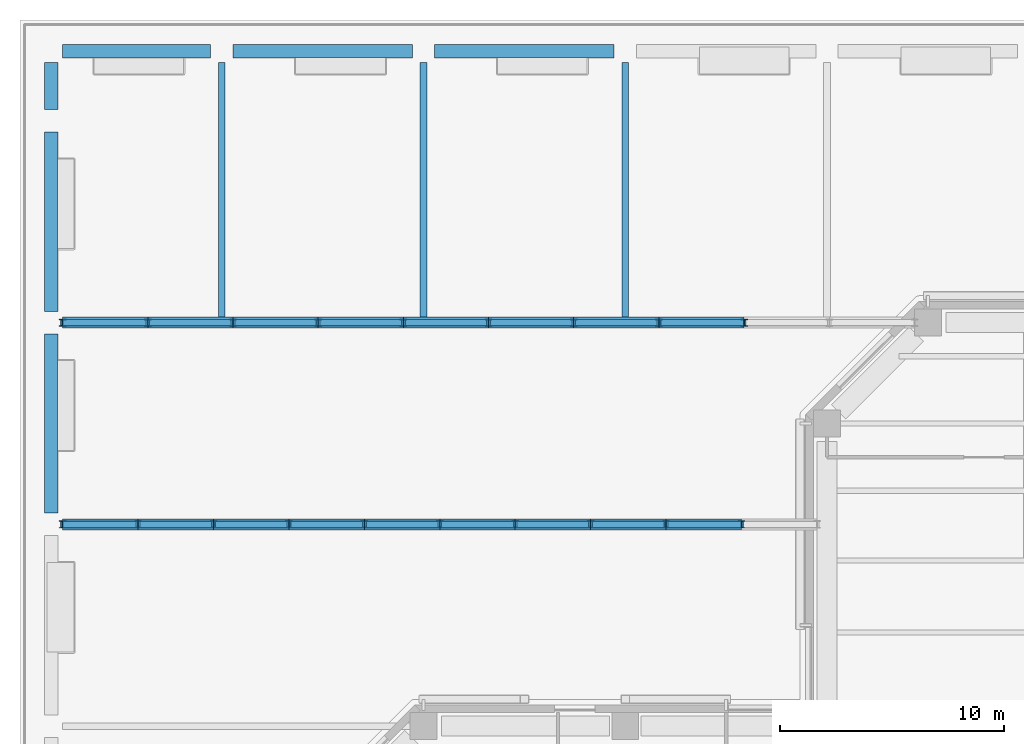
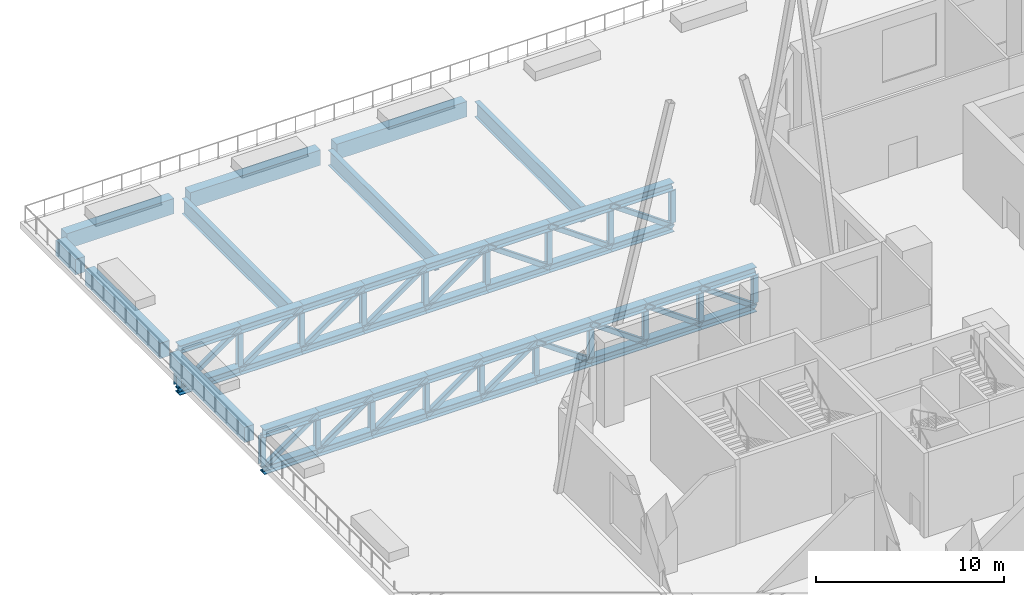
# One storey, part 12 of 33: 53 members, 26 beams.
"""IFC4 building model written with IfcOpenShell, lengths in metres."""

from ifc_helpers import new_model, si_unit, direction, frame, origin, origin_2d, place, context, subcontext, project, spatial, rectangle, hollow_rectangle, i_section, extrude, material, material_profile, profile_set, type_object, element, save


model = new_model("IFC4")

# Units and contexts
model_context = context("Model", 3, precision=1e-05, world=origin(), true_north=direction((0.0, 1.0)))
body_context = subcontext(model_context, "Body", "Model", "MODEL_VIEW")
ifc_project = project(units=[si_unit("LENGTHUNIT", "METRE"), si_unit("AREAUNIT", "SQUARE_METRE"), si_unit("VOLUMEUNIT", "CUBIC_METRE"), si_unit("PLANEANGLEUNIT", "RADIAN"), si_unit("MASSUNIT", "GRAM", prefix="KILO")], contexts=[model_context])

# Site, building, storey
site_placement = place(None, origin())
site = spatial("IfcSite", under=ifc_project, at=site_placement, CompositionType="ELEMENT")
building_placement = place(site_placement, origin())
building = spatial("IfcBuilding", under=site, at=building_placement, Name="Quoin Convention Tower", CompositionType="ELEMENT")
storey_placement = place(building_placement, frame((0.0, 0.0, 8.0)))
storey = spatial("IfcBuildingStorey", under=building, at=storey_placement, Name="L01", CompositionType="ELEMENT", Elevation=8.0)

# Beams
ifc_material_1 = material(Name="Steel Grade 300", Category="steel")
ifc_material_profile_1 = material_profile(ifc_material_1, i_section(OverallWidth=0.300048828125, OverallDepth=1.0, WebThickness=0.01611328125, FlangeThickness=0.02001953125, at=origin_2d()), Name="1000WB215")
ifc_profile_set_1 = profile_set([ifc_material_profile_1], Name="Steel Grade 300")
beam_type_1 = type_object("IfcBeamType", Name="1000WB215", PredefinedType="BEAM", material=ifc_profile_set_1)
for number, where, z_axis, x_axis, name in (
    (1, (9.0, 81.25, -0.909912109375), (0.0, 1.0, 0.0), (-1.0, 0.0, 0.0), "gir-L01-deck-N9000_81250"),
    (2, (18.0, 81.25, -0.909912109375), (0.0, 1.0, 0.0), (-1.0, 0.0, 0.0), "gir-L01-deck-N18000_81250"),
    (3, (27.0, 81.25, -0.909912109375), (0.0, 1.0, 0.0), (-1.0, 0.0, 0.0), "gir-L01-deck-N27000_81250"),
):
    element("IfcBeam", number, at=place(storey_placement, frame(where, z_axis=z_axis, x_axis=x_axis)), inside=storey, type_object=beam_type_1, Name=name, PredefinedType="BEAM", context=body_context, shape_type="SweptSolid", body=[
        extrude(i_section(OverallWidth=0.300048828125, OverallDepth=1.0, WebThickness=0.01611328125, FlangeThickness=0.02001953125, at=origin_2d()), origin(), (0.0, 0.0, 1.0), 11.35009765625),
    ])

# Members
ifc_material_2 = material(Name="Steel C450L0", Category="steel")
ifc_material_profile_2 = material_profile(ifc_material_2, hollow_rectangle(XDim=0.300048828125, YDim=0.300048828125, WallThickness=0.012451171875, InnerFilletRadius=0.018798828125, OuterFilletRadius=0.03125, at=origin_2d()), Name="300x300x12.5SHS")
ifc_profile_set_2 = profile_set([ifc_material_profile_2], Name="Steel C450L0")
member_type_1 = type_object("IfcMemberType", Name="300x300x12.5SHS", PredefinedType="BRACE", material=ifc_profile_set_2)
for number, where, z_axis, x_axis, name in (
    (4, (1.89990234375, 72.0, -3.052978515625), (0.815744061305, 0.0, 0.578413024097), (0.0, 1.0, 0.0), "Deck truss deck-1900_72000 diagonal 1"),
    (5, (5.264892578125, 72.0, -3.052978515625), (0.815744061305, 0.0, 0.578413024097), (0.0, 1.0, 0.0), "Deck truss deck-1900_72000 diagonal 2"),
):
    element("IfcMember", number, at=place(storey_placement, frame(where, z_axis=z_axis, x_axis=x_axis)), inside=storey, type_object=member_type_1, Name=name, PredefinedType="BRACE", context=body_context, shape_type="SweptSolid", body=[
        extrude(hollow_rectangle(XDim=0.300048828125, YDim=0.300048828125, WallThickness=0.012451171875, InnerFilletRadius=0.018798828125, OuterFilletRadius=0.03125, at=origin_2d()), origin(), (0.0, 0.0, 1.0), 4.125),
    ])
member_1_placement = place(storey_placement, frame((8.6298828125, 72.0, -3.052978515625), z_axis=(0.815763860833, 0.0, 0.57838509953), x_axis=(0.0, 1.0, 0.0)))
element("IfcMember", 6, at=member_1_placement, inside=storey, type_object=member_type_1, Name="Deck truss deck-1900_72000 diagonal 3", PredefinedType="BRACE", context=body_context, shape_type="SweptSolid", body=[
    extrude(hollow_rectangle(XDim=0.300048828125, YDim=0.300048828125, WallThickness=0.012451171875, InnerFilletRadius=0.018798828125, OuterFilletRadius=0.03125, at=origin_2d()), origin(), (0.0, 0.0, 1.0), 4.125244140625),
])
for number, where, z_axis, x_axis, name in (
    (7, (11.9951171875, 72.0, -3.052978515625), (0.815744061305, 0.0, 0.578413024097), (0.0, 1.0, 0.0), "Deck truss deck-1900_72000 diagonal 4"),
    (8, (15.360107421875, 72.0, -3.052978515625), (0.815744061305, 0.0, 0.578413024097), (0.0, 1.0, 0.0), "Deck truss deck-1900_72000 diagonal 5"),
    (9, (18.72509765625, 72.0, -0.6669921875), (0.815744061305, 0.0, -0.578413024097), (0.0, 1.0, 0.0), "Deck truss deck-1900_72000 diagonal 6"),
    (10, (22.090087890625, 72.0, -0.6669921875), (0.815744061305, 0.0, -0.578413024097), (0.0, 1.0, 0.0), "Deck truss deck-1900_72000 diagonal 7"),
    (11, (25.455078125, 72.0, -0.6669921875), (0.815744061305, 0.0, -0.578413024097), (0.0, 1.0, 0.0), "Deck truss deck-1900_72000 diagonal 8"),
    (12, (28.820068359375, 72.0, -0.6669921875), (0.815744061305, 0.0, -0.578413024097), (0.0, 1.0, 0.0), "Deck truss deck-1900_72000 diagonal 9"),
):
    element("IfcMember", number, at=place(storey_placement, frame(where, z_axis=z_axis, x_axis=x_axis)), inside=storey, type_object=member_type_1, Name=name, PredefinedType="BRACE", context=body_context, shape_type="SweptSolid", body=[
        extrude(hollow_rectangle(XDim=0.300048828125, YDim=0.300048828125, WallThickness=0.012451171875, InnerFilletRadius=0.018798828125, OuterFilletRadius=0.03125, at=origin_2d()), origin(), (0.0, 0.0, 1.0), 4.125),
    ])
for number, where, z_axis, x_axis, name in (
    (13, (1.89990234375, 81.0, -3.35302734375), (0.81659838966, 0.0, 0.577206262964), (0.0, 1.0, 0.0), "Deck truss deck-1900_81000 diagonal 1"),
    (14, (5.699951171875, 81.0, -3.35302734375), (0.81659838966, 0.0, 0.577206262964), (0.0, 1.0, 0.0), "Deck truss deck-1900_81000 diagonal 2"),
    (15, (9.5, 81.0, -3.35302734375), (0.81659838966, 0.0, 0.577206262964), (0.0, 1.0, 0.0), "Deck truss deck-1900_81000 diagonal 3"),
    (16, (13.300048828125, 81.0, -3.35302734375), (0.81659838966, 0.0, 0.577206262964), (0.0, 1.0, 0.0), "Deck truss deck-1900_81000 diagonal 4"),
):
    element("IfcMember", number, at=place(storey_placement, frame(where, z_axis=z_axis, x_axis=x_axis)), inside=storey, type_object=member_type_1, Name=name, PredefinedType="BRACE", context=body_context, shape_type="SweptSolid", body=[
        extrude(hollow_rectangle(XDim=0.300048828125, YDim=0.300048828125, WallThickness=0.012451171875, InnerFilletRadius=0.018798828125, OuterFilletRadius=0.03125, at=origin_2d()), origin(), (0.0, 0.0, 1.0), 4.653564453125),
    ])
member_2_placement = place(storey_placement, frame((17.10009765625, 81.0, -3.35302734375), z_axis=(0.81658090934, 0.0, 0.577230992326), x_axis=(0.0, 1.0, 0.0)))
element("IfcMember", 17, at=member_2_placement, inside=storey, type_object=member_type_1, Name="Deck truss deck-1900_81000 diagonal 5", PredefinedType="BRACE", context=body_context, shape_type="SweptSolid", body=[
    extrude(hollow_rectangle(XDim=0.300048828125, YDim=0.300048828125, WallThickness=0.012451171875, InnerFilletRadius=0.018798828125, OuterFilletRadius=0.03125, at=origin_2d()), origin(), (0.0, 0.0, 1.0), 4.6533203125),
])
for number, where, z_axis, x_axis, name in (
    (18, (20.89990234375, 81.0, -0.6669921875), (0.81659838966, 0.0, -0.577206262964), (0.0, 1.0, 0.0), "Deck truss deck-1900_81000 diagonal 6"),
    (19, (24.699951171875, 81.0, -0.6669921875), (0.81659838966, 0.0, -0.577206262964), (0.0, 1.0, 0.0), "Deck truss deck-1900_81000 diagonal 7"),
    (20, (28.5, 81.0, -0.6669921875), (0.81659838966, 0.0, -0.577206262964), (0.0, 1.0, 0.0), "Deck truss deck-1900_81000 diagonal 8"),
):
    element("IfcMember", number, at=place(storey_placement, frame(where, z_axis=z_axis, x_axis=x_axis)), inside=storey, type_object=member_type_1, Name=name, PredefinedType="BRACE", context=body_context, shape_type="SweptSolid", body=[
        extrude(hollow_rectangle(XDim=0.300048828125, YDim=0.300048828125, WallThickness=0.012451171875, InnerFilletRadius=0.018798828125, OuterFilletRadius=0.03125, at=origin_2d()), origin(), (0.0, 0.0, 1.0), 4.653564453125),
    ])
ifc_material_profile_3 = material_profile(ifc_material_1, i_section(OverallWidth=0.304931640625, OverallDepth=0.30810546875, WebThickness=0.010009765625, FlangeThickness=0.015380859375, FilletRadius=0.0166015625, at=origin_2d()), Name="310UC96.8")
ifc_profile_set_3 = profile_set([ifc_material_profile_3], Name="Steel Grade 300")
member_type_2 = type_object("IfcMemberType", Name="310UC96.8", PredefinedType="POST", material=ifc_profile_set_3)
for number, where, z_axis, x_axis, name in (
    (21, (1.89990234375, 72.0, -2.7958984375), (0.0, 0.0, 1.0), (1.0, 0.0, 0.0), "Deck truss deck-1900_72000 post 1"),
    (22, (5.264892578125, 72.0, -2.7958984375), (0.0, 0.0, 1.0), (1.0, 0.0, 0.0), "Deck truss deck-1900_72000 post 2"),
    (23, (8.6298828125, 72.0, -2.7958984375), (0.0, 0.0, 1.0), (1.0, 0.0, 0.0), "Deck truss deck-1900_72000 post 3"),
    (24, (11.9951171875, 72.0, -2.7958984375), (0.0, 0.0, 1.0), (1.0, 0.0, 0.0), "Deck truss deck-1900_72000 post 4"),
    (25, (15.360107421875, 72.0, -2.7958984375), (0.0, 0.0, 1.0), (1.0, 0.0, 0.0), "Deck truss deck-1900_72000 post 5"),
    (26, (18.72509765625, 72.0, -2.7958984375), (0.0, 0.0, 1.0), (1.0, 0.0, 0.0), "Deck truss deck-1900_72000 post 6"),
    (27, (22.090087890625, 72.0, -2.7958984375), (0.0, 0.0, 1.0), (1.0, 0.0, 0.0), "Deck truss deck-1900_72000 post 7"),
    (28, (25.455078125, 72.0, -2.7958984375), (0.0, 0.0, 1.0), (1.0, 0.0, 0.0), "Deck truss deck-1900_72000 post 8"),
    (29, (28.820068359375, 72.0, -2.7958984375), (0.0, 0.0, 1.0), (1.0, 0.0, 0.0), "Deck truss deck-1900_72000 post 9"),
    (30, (32.18505859375, 72.0, -2.7958984375), (0.0, 0.0, 1.0), (1.0, 0.0, 0.0), "Deck truss deck-1900_72000 post 10"),
):
    element("IfcMember", number, at=place(storey_placement, frame(where, z_axis=z_axis, x_axis=x_axis)), inside=storey, type_object=member_type_2, Name=name, PredefinedType="POST", context=body_context, shape_type="SweptSolid", body=[
        extrude(i_section(OverallWidth=0.304931640625, OverallDepth=0.30810546875, WebThickness=0.010009765625, FlangeThickness=0.015380859375, FilletRadius=0.0166015625, at=origin_2d()), origin(), (0.0, 0.0, 1.0), 1.871826171875),
    ])
for number, where, z_axis, x_axis, name in (
    (31, (1.89990234375, 81.0, -3.095947265625), (0.0, 0.0, 1.0), (1.0, 0.0, 0.0), "Deck truss deck-1900_81000 post 1"),
    (32, (5.699951171875, 81.0, -3.095947265625), (0.0, 0.0, 1.0), (1.0, 0.0, 0.0), "Deck truss deck-1900_81000 post 2"),
    (33, (9.5, 81.0, -3.095947265625), (0.0, 0.0, 1.0), (1.0, 0.0, 0.0), "Deck truss deck-1900_81000 post 3"),
    (34, (13.300048828125, 81.0, -3.095947265625), (0.0, 0.0, 1.0), (1.0, 0.0, 0.0), "Deck truss deck-1900_81000 post 4"),
    (35, (17.10009765625, 81.0, -3.095947265625), (0.0, 0.0, 1.0), (1.0, 0.0, 0.0), "Deck truss deck-1900_81000 post 5"),
    (36, (20.89990234375, 81.0, -3.095947265625), (0.0, 0.0, 1.0), (1.0, 0.0, 0.0), "Deck truss deck-1900_81000 post 6"),
    (37, (24.699951171875, 81.0, -3.095947265625), (0.0, 0.0, 1.0), (1.0, 0.0, 0.0), "Deck truss deck-1900_81000 post 7"),
    (38, (28.5, 81.0, -3.095947265625), (0.0, 0.0, 1.0), (1.0, 0.0, 0.0), "Deck truss deck-1900_81000 post 8"),
    (39, (32.300048828125, 81.0, -3.095947265625), (0.0, 0.0, 1.0), (1.0, 0.0, 0.0), "Deck truss deck-1900_81000 post 9"),
):
    element("IfcMember", number, at=place(storey_placement, frame(where, z_axis=z_axis, x_axis=x_axis)), inside=storey, type_object=member_type_2, Name=name, PredefinedType="POST", context=body_context, shape_type="SweptSolid", body=[
        extrude(i_section(OverallWidth=0.304931640625, OverallDepth=0.30810546875, WebThickness=0.010009765625, FlangeThickness=0.015380859375, FilletRadius=0.0166015625, at=origin_2d()), origin(), (0.0, 0.0, 1.0), 2.171875),
    ])
ifc_material_profile_4 = material_profile(ifc_material_1, i_section(OverallWidth=0.5, OverallDepth=0.513916015625, WebThickness=0.02490234375, FlangeThickness=0.031982421875, at=origin_2d()), Name="500WC340")
ifc_profile_set_4 = profile_set([ifc_material_profile_4], Name="Steel Grade 300")
member_type_3 = type_object("IfcMemberType", Name="500WC340", PredefinedType="CHORD", material=ifc_profile_set_4)
for number, where, z_axis, x_axis, name in (
    (40, (1.89990234375, 72.0, -3.052978515625), (1.0, 0.0, 0.0), (0.0, 1.0, 0.0), "Deck truss deck-1900_72000 bottom chord 1"),
    (41, (5.264892578125, 72.0, -3.052978515625), (1.0, 0.0, 0.0), (0.0, 1.0, 0.0), "Deck truss deck-1900_72000 bottom chord 2"),
):
    element("IfcMember", number, at=place(storey_placement, frame(where, z_axis=z_axis, x_axis=x_axis)), inside=storey, type_object=member_type_3, Name=name, PredefinedType="CHORD", context=body_context, shape_type="SweptSolid", body=[
        extrude(i_section(OverallWidth=0.5, OverallDepth=0.513916015625, WebThickness=0.02490234375, FlangeThickness=0.031982421875, at=origin_2d()), origin(), (0.0, 0.0, 1.0), 3.364990234375),
    ])
member_3_placement = place(storey_placement, frame((8.6298828125, 72.0, -3.052978515625), z_axis=(1.0, 0.0, 0.0), x_axis=(0.0, 1.0, 0.0)))
element("IfcMember", 42, at=member_3_placement, inside=storey, type_object=member_type_3, Name="Deck truss deck-1900_72000 bottom chord 3", PredefinedType="CHORD", context=body_context, shape_type="SweptSolid", body=[
    extrude(i_section(OverallWidth=0.5, OverallDepth=0.513916015625, WebThickness=0.02490234375, FlangeThickness=0.031982421875, at=origin_2d()), origin(), (0.0, 0.0, 1.0), 3.365234375),
])
for number, where, z_axis, x_axis, name in (
    (43, (11.9951171875, 72.0, -3.052978515625), (1.0, 0.0, 0.0), (0.0, 1.0, 0.0), "Deck truss deck-1900_72000 bottom chord 4"),
    (44, (15.360107421875, 72.0, -3.052978515625), (1.0, 0.0, 0.0), (0.0, 1.0, 0.0), "Deck truss deck-1900_72000 bottom chord 5"),
    (45, (18.72509765625, 72.0, -3.052978515625), (1.0, 0.0, 0.0), (0.0, 1.0, 0.0), "Deck truss deck-1900_72000 bottom chord 6"),
    (46, (22.090087890625, 72.0, -3.052978515625), (1.0, 0.0, 0.0), (0.0, 1.0, 0.0), "Deck truss deck-1900_72000 bottom chord 7"),
    (47, (25.455078125, 72.0, -3.052978515625), (1.0, 0.0, 0.0), (0.0, 1.0, 0.0), "Deck truss deck-1900_72000 bottom chord 8"),
    (48, (28.820068359375, 72.0, -3.052978515625), (1.0, 0.0, 0.0), (0.0, 1.0, 0.0), "Deck truss deck-1900_72000 bottom chord 9"),
):
    element("IfcMember", number, at=place(storey_placement, frame(where, z_axis=z_axis, x_axis=x_axis)), inside=storey, type_object=member_type_3, Name=name, PredefinedType="CHORD", context=body_context, shape_type="SweptSolid", body=[
        extrude(i_section(OverallWidth=0.5, OverallDepth=0.513916015625, WebThickness=0.02490234375, FlangeThickness=0.031982421875, at=origin_2d()), origin(), (0.0, 0.0, 1.0), 3.364990234375),
    ])
for number, where, z_axis, x_axis, name in (
    (49, (1.89990234375, 81.0, -3.35302734375), (1.0, 0.0, 0.0), (0.0, 1.0, 0.0), "Deck truss deck-1900_81000 bottom chord 1"),
    (50, (5.699951171875, 81.0, -3.35302734375), (1.0, 0.0, 0.0), (0.0, 1.0, 0.0), "Deck truss deck-1900_81000 bottom chord 2"),
    (51, (9.5, 81.0, -3.35302734375), (1.0, 0.0, 0.0), (0.0, 1.0, 0.0), "Deck truss deck-1900_81000 bottom chord 3"),
    (52, (13.300048828125, 81.0, -3.35302734375), (1.0, 0.0, 0.0), (0.0, 1.0, 0.0), "Deck truss deck-1900_81000 bottom chord 4"),
):
    element("IfcMember", number, at=place(storey_placement, frame(where, z_axis=z_axis, x_axis=x_axis)), inside=storey, type_object=member_type_3, Name=name, PredefinedType="CHORD", context=body_context, shape_type="SweptSolid", body=[
        extrude(i_section(OverallWidth=0.5, OverallDepth=0.513916015625, WebThickness=0.02490234375, FlangeThickness=0.031982421875, at=origin_2d()), origin(), (0.0, 0.0, 1.0), 3.800048828125),
    ])
member_4_placement = place(storey_placement, frame((17.10009765625, 81.0, -3.35302734375), z_axis=(1.0, 0.0, 0.0), x_axis=(0.0, 1.0, 0.0)))
element("IfcMember", 53, at=member_4_placement, inside=storey, type_object=member_type_3, Name="Deck truss deck-1900_81000 bottom chord 5", PredefinedType="CHORD", context=body_context, shape_type="SweptSolid", body=[
    extrude(i_section(OverallWidth=0.5, OverallDepth=0.513916015625, WebThickness=0.02490234375, FlangeThickness=0.031982421875, at=origin_2d()), origin(), (0.0, 0.0, 1.0), 3.7998046875),
])
for number, where, z_axis, x_axis, name in (
    (54, (20.89990234375, 81.0, -3.35302734375), (1.0, 0.0, 0.0), (0.0, 1.0, 0.0), "Deck truss deck-1900_81000 bottom chord 6"),
    (55, (24.699951171875, 81.0, -3.35302734375), (1.0, 0.0, 0.0), (0.0, 1.0, 0.0), "Deck truss deck-1900_81000 bottom chord 7"),
    (56, (28.5, 81.0, -3.35302734375), (1.0, 0.0, 0.0), (0.0, 1.0, 0.0), "Deck truss deck-1900_81000 bottom chord 8"),
):
    element("IfcMember", number, at=place(storey_placement, frame(where, z_axis=z_axis, x_axis=x_axis)), inside=storey, type_object=member_type_3, Name=name, PredefinedType="CHORD", context=body_context, shape_type="SweptSolid", body=[
        extrude(i_section(OverallWidth=0.5, OverallDepth=0.513916015625, WebThickness=0.02490234375, FlangeThickness=0.031982421875, at=origin_2d()), origin(), (0.0, 0.0, 1.0), 3.800048828125),
    ])

# Beams
ifc_material_profile_5 = material_profile(ifc_material_1, i_section(OverallWidth=0.5, OverallDepth=0.513916015625, WebThickness=0.02490234375, FlangeThickness=0.031982421875, at=origin_2d()), Name="500WC340")
ifc_profile_set_5 = profile_set([ifc_material_profile_5], Name="Steel Grade 300")
beam_type_2 = type_object("IfcBeamType", Name="Deck truss chord 500WC340", PredefinedType="BEAM", material=ifc_profile_set_5)
for number, where, z_axis, x_axis, name in (
    (57, (1.89990234375, 72.0, -0.6669921875), (1.0, 0.0, 0.0), (0.0, 1.0, 0.0), "Deck truss deck-1900_72000 top chord 1"),
    (58, (5.264892578125, 72.0, -0.6669921875), (1.0, 0.0, 0.0), (0.0, 1.0, 0.0), "Deck truss deck-1900_72000 top chord 2"),
):
    element("IfcBeam", number, at=place(storey_placement, frame(where, z_axis=z_axis, x_axis=x_axis)), inside=storey, type_object=beam_type_2, Name=name, PredefinedType="BEAM", context=body_context, shape_type="SweptSolid", body=[
        extrude(i_section(OverallWidth=0.5, OverallDepth=0.513916015625, WebThickness=0.02490234375, FlangeThickness=0.031982421875, at=origin_2d()), origin(), (0.0, 0.0, 1.0), 3.364990234375),
    ])
beam_1_placement = place(storey_placement, frame((8.6298828125, 72.0, -0.6669921875), z_axis=(1.0, 0.0, 0.0), x_axis=(0.0, 1.0, 0.0)))
element("IfcBeam", 59, at=beam_1_placement, inside=storey, type_object=beam_type_2, Name="Deck truss deck-1900_72000 top chord 3", PredefinedType="BEAM", context=body_context, shape_type="SweptSolid", body=[
    extrude(i_section(OverallWidth=0.5, OverallDepth=0.513916015625, WebThickness=0.02490234375, FlangeThickness=0.031982421875, at=origin_2d()), origin(), (0.0, 0.0, 1.0), 3.365234375),
])
for number, where, z_axis, x_axis, name in (
    (60, (11.9951171875, 72.0, -0.6669921875), (1.0, 0.0, 0.0), (0.0, 1.0, 0.0), "Deck truss deck-1900_72000 top chord 4"),
    (61, (15.360107421875, 72.0, -0.6669921875), (1.0, 0.0, 0.0), (0.0, 1.0, 0.0), "Deck truss deck-1900_72000 top chord 5"),
    (62, (18.72509765625, 72.0, -0.6669921875), (1.0, 0.0, 0.0), (0.0, 1.0, 0.0), "Deck truss deck-1900_72000 top chord 6"),
    (63, (22.090087890625, 72.0, -0.6669921875), (1.0, 0.0, 0.0), (0.0, 1.0, 0.0), "Deck truss deck-1900_72000 top chord 7"),
    (64, (25.455078125, 72.0, -0.6669921875), (1.0, 0.0, 0.0), (0.0, 1.0, 0.0), "Deck truss deck-1900_72000 top chord 8"),
    (65, (28.820068359375, 72.0, -0.6669921875), (1.0, 0.0, 0.0), (0.0, 1.0, 0.0), "Deck truss deck-1900_72000 top chord 9"),
):
    element("IfcBeam", number, at=place(storey_placement, frame(where, z_axis=z_axis, x_axis=x_axis)), inside=storey, type_object=beam_type_2, Name=name, PredefinedType="BEAM", context=body_context, shape_type="SweptSolid", body=[
        extrude(i_section(OverallWidth=0.5, OverallDepth=0.513916015625, WebThickness=0.02490234375, FlangeThickness=0.031982421875, at=origin_2d()), origin(), (0.0, 0.0, 1.0), 3.364990234375),
    ])
for number, where, z_axis, x_axis, name in (
    (66, (1.89990234375, 81.0, -0.6669921875), (1.0, 0.0, 0.0), (0.0, 1.0, 0.0), "Deck truss deck-1900_81000 top chord 1"),
    (67, (5.699951171875, 81.0, -0.6669921875), (1.0, 0.0, 0.0), (0.0, 1.0, 0.0), "Deck truss deck-1900_81000 top chord 2"),
    (68, (9.5, 81.0, -0.6669921875), (1.0, 0.0, 0.0), (0.0, 1.0, 0.0), "Deck truss deck-1900_81000 top chord 3"),
    (69, (13.300048828125, 81.0, -0.6669921875), (1.0, 0.0, 0.0), (0.0, 1.0, 0.0), "Deck truss deck-1900_81000 top chord 4"),
):
    element("IfcBeam", number, at=place(storey_placement, frame(where, z_axis=z_axis, x_axis=x_axis)), inside=storey, type_object=beam_type_2, Name=name, PredefinedType="BEAM", context=body_context, shape_type="SweptSolid", body=[
        extrude(i_section(OverallWidth=0.5, OverallDepth=0.513916015625, WebThickness=0.02490234375, FlangeThickness=0.031982421875, at=origin_2d()), origin(), (0.0, 0.0, 1.0), 3.800048828125),
    ])
beam_2_placement = place(storey_placement, frame((17.10009765625, 81.0, -0.6669921875), z_axis=(1.0, 0.0, 0.0), x_axis=(0.0, 1.0, 0.0)))
element("IfcBeam", 70, at=beam_2_placement, inside=storey, type_object=beam_type_2, Name="Deck truss deck-1900_81000 top chord 5", PredefinedType="BEAM", context=body_context, shape_type="SweptSolid", body=[
    extrude(i_section(OverallWidth=0.5, OverallDepth=0.513916015625, WebThickness=0.02490234375, FlangeThickness=0.031982421875, at=origin_2d()), origin(), (0.0, 0.0, 1.0), 3.7998046875),
])
for number, where, z_axis, x_axis, name in (
    (71, (20.89990234375, 81.0, -0.6669921875), (1.0, 0.0, 0.0), (0.0, 1.0, 0.0), "Deck truss deck-1900_81000 top chord 6"),
    (72, (24.699951171875, 81.0, -0.6669921875), (1.0, 0.0, 0.0), (0.0, 1.0, 0.0), "Deck truss deck-1900_81000 top chord 7"),
    (73, (28.5, 81.0, -0.6669921875), (1.0, 0.0, 0.0), (0.0, 1.0, 0.0), "Deck truss deck-1900_81000 top chord 8"),
):
    element("IfcBeam", number, at=place(storey_placement, frame(where, z_axis=z_axis, x_axis=x_axis)), inside=storey, type_object=beam_type_2, Name=name, PredefinedType="BEAM", context=body_context, shape_type="SweptSolid", body=[
        extrude(i_section(OverallWidth=0.5, OverallDepth=0.513916015625, WebThickness=0.02490234375, FlangeThickness=0.031982421875, at=origin_2d()), origin(), (0.0, 0.0, 1.0), 3.800048828125),
    ])
ifc_material_3 = material(Name="Concrete C100 (100 MPa)", Category="concrete")
ifc_material_profile_6 = material_profile(ifc_material_3, rectangle(XDim=0.60009765625, YDim=1.0, at=origin_2d()), Name="RC 600x1000")
ifc_profile_set_6 = profile_set([ifc_material_profile_6], Name="Concrete C100 (100 MPa)")
beam_type_3 = type_object("IfcBeamType", Name="RC 600x1000 C100", PredefinedType="SPANDREL", material=ifc_profile_set_6)
beam_3_placement = place(storey_placement, frame((1.89990234375, 93.10009765625, -0.909912109375), z_axis=(1.0, 0.0, 0.0), x_axis=(0.0, 1.0, 0.0)))
element("IfcBeam", 74, at=beam_3_placement, inside=storey, type_object=beam_type_3, Name="spd-L01-edge-1400_93100-9000_93100", PredefinedType="SPANDREL", context=body_context, shape_type="SweptSolid", body=[
    extrude(rectangle(XDim=0.60009765625, YDim=1.0, at=origin_2d()), origin(), (0.0, 0.0, 1.0), 6.60009765625),
])
for number, where, z_axis, x_axis, name in (
    (75, (9.5, 93.10009765625, -0.909912109375), (1.0, 0.0, 0.0), (0.0, 1.0, 0.0), "spd-L01-edge-9000_93100-18000_93100"),
    (76, (18.5, 93.10009765625, -0.909912109375), (1.0, 0.0, 0.0), (0.0, 1.0, 0.0), "spd-L01-edge-18000_93100-27000_93100"),
    (77, (1.39990234375, 72.5, -0.909912109375), (0.0, 1.0, 0.0), (-1.0, 0.0, 0.0), "spd-L01-edge-1400_72000-1400_81000"),
    (78, (1.39990234375, 81.5, -0.909912109375), (0.0, 1.0, 0.0), (-1.0, 0.0, 0.0), "spd-L01-edge-1400_81000-1400_90000"),
):
    element("IfcBeam", number, at=place(storey_placement, frame(where, z_axis=z_axis, x_axis=x_axis)), inside=storey, type_object=beam_type_3, Name=name, PredefinedType="SPANDREL", context=body_context, shape_type="SweptSolid", body=[
        extrude(rectangle(XDim=0.60009765625, YDim=1.0, at=origin_2d()), origin(), (0.0, 0.0, 1.0), 8.0),
    ])
beam_4_placement = place(storey_placement, frame((1.39990234375, 90.5, -0.909912109375), z_axis=(0.0, 1.0, 0.0), x_axis=(-1.0, 0.0, 0.0)))
element("IfcBeam", 79, at=beam_4_placement, inside=storey, type_object=beam_type_3, Name="spd-L01-edge-1400_90000-1400_93100", PredefinedType="SPANDREL", context=body_context, shape_type="SweptSolid", body=[
    extrude(rectangle(XDim=0.60009765625, YDim=1.0, at=origin_2d()), origin(), (0.0, 0.0, 1.0), 2.10009765625),
])

save(model, "model.ifc")
